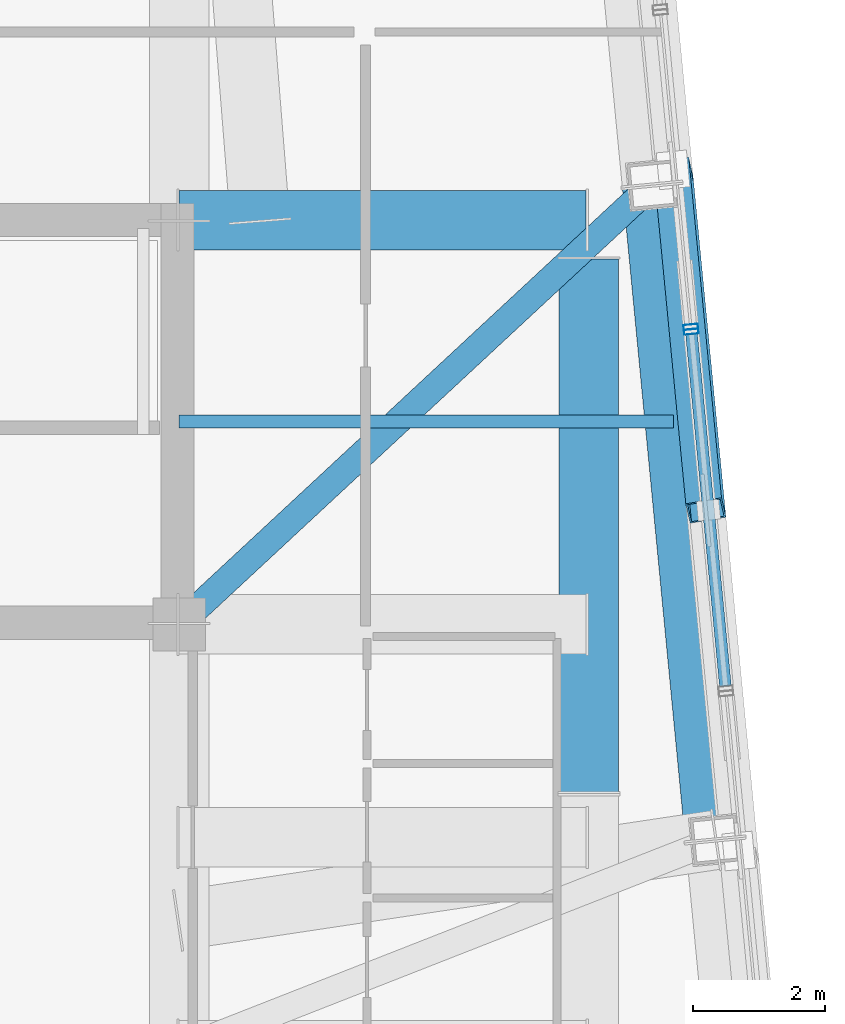
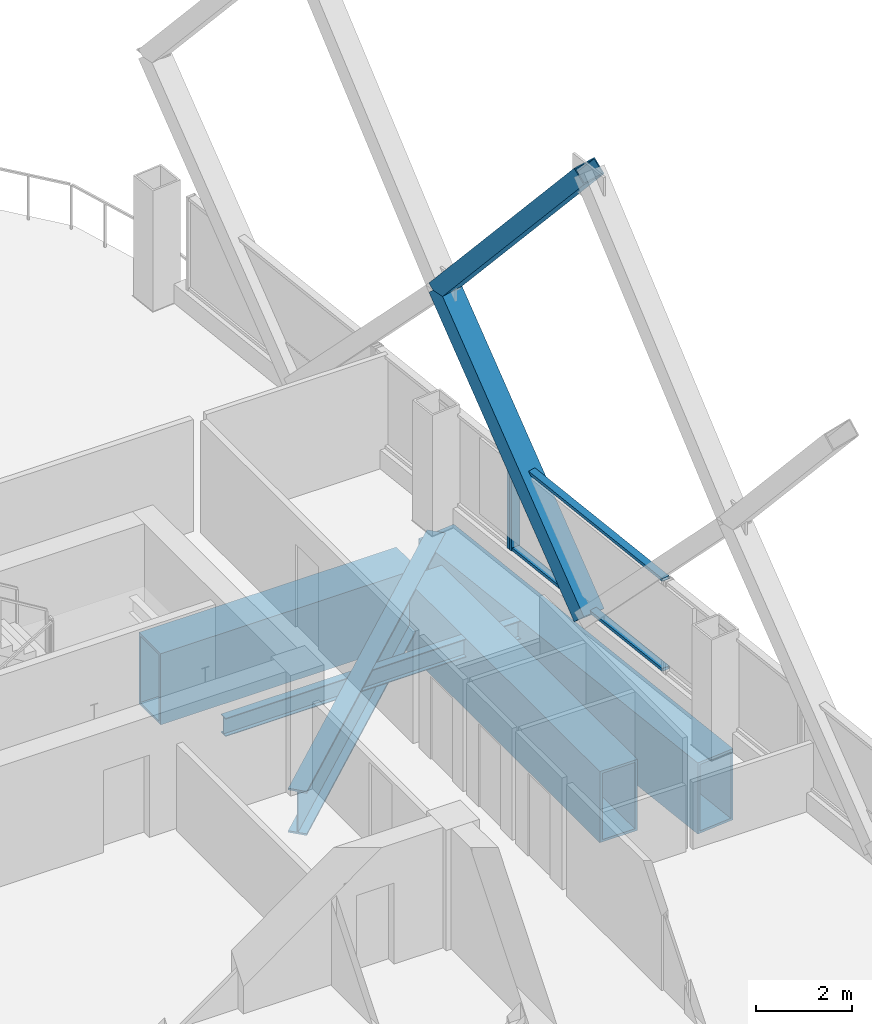
# One storey, part 18 of 37: 6 members, 5 beams, 2 elements without a shape of their own.
"""IFC4 building model written with IfcOpenShell, lengths in metres."""

from ifc_helpers import new_model, si_unit, direction, frame, origin, origin_2d, place, context, subcontext, project, spatial, hollow_rectangle, i_section, extrude, material, layer, layer_set, material_profile, profile_set, type_object, element, aggregate, save


model = new_model("IFC4")

# Units and contexts
model_context = context("Model", 3, precision=1e-05, world=origin(), true_north=direction((0.0, 1.0)))
body_context = subcontext(model_context, "Body", "Model", "MODEL_VIEW")
ifc_project = project(units=[si_unit("LENGTHUNIT", "METRE"), si_unit("AREAUNIT", "SQUARE_METRE"), si_unit("VOLUMEUNIT", "CUBIC_METRE"), si_unit("PLANEANGLEUNIT", "RADIAN"), si_unit("MASSUNIT", "GRAM", prefix="KILO")], contexts=[model_context])

# Site, building, storey
site_placement = place(None, origin())
site = spatial("IfcSite", under=ifc_project, at=site_placement, CompositionType="ELEMENT")
building_placement = place(site_placement, origin())
building = spatial("IfcBuilding", under=site, at=building_placement, Name="Qhalaya Broadcast Tower", CompositionType="ELEMENT")
storey_placement = place(building_placement, frame((0.0, 0.0, 156.14990234375)))
storey = spatial("IfcBuildingStorey", under=building, at=storey_placement, Name="L45", CompositionType="ELEMENT", Elevation=156.14990234375)

# Beams
ifc_material_1 = material(Name="Structural Steel ASTM A572 Grade 50", Category="steel")
ifc_material_profile_1 = material_profile(ifc_material_1, hollow_rectangle(XDim=0.89990234375, YDim=1.800048828125, WallThickness=0.06005859375, at=origin_2d()), Name="BOX 900x1800x60")
ifc_profile_set_1 = profile_set([ifc_material_profile_1], Name="Structural Steel ASTM A572 Grade 50")
beam_type_1 = type_object("IfcBeamType", Name="Block Cantilever Transfer Box Girder TG1", PredefinedType="USERDEFINED", material=ifc_profile_set_1)
beam_1_placement = place(storey_placement, frame((17.49267578125, 0.558837890625, -1.119873046875), z_axis=(-0.095852900965, 0.995395510024, 0.0), x_axis=(-0.995395510024, -0.095852900965, 0.0)))
element("IfcBeam", 1, at=beam_1_placement, inside=storey, type_object=beam_type_1, Name="L45 TG1 L45-SPR-06", ObjectType="GIRDER", PredefinedType="USERDEFINED", context=body_context, shape_type="SweptSolid", body=[
    extrude(hollow_rectangle(XDim=0.89990234375, YDim=1.800048828125, WallThickness=0.06005859375, at=origin_2d()), origin(), (0.0, 0.0, 1.0), 9.966552734375),
])
beam_2_placement = place(storey_placement, frame((15.580078125, 1.260009765625, -1.119873046875), z_axis=(0.0, 1.0, 0.0), x_axis=(-1.0, 0.0, 0.0)))
element("IfcBeam", 2, at=beam_2_placement, inside=storey, type_object=beam_type_1, Name="L45 TG1 L45-TGL-06", ObjectType="GIRDER", PredefinedType="USERDEFINED", context=body_context, shape_type="SweptSolid", body=[
    extrude(hollow_rectangle(XDim=0.89990234375, YDim=1.800048828125, WallThickness=0.06005859375, at=origin_2d()), origin(), (0.0, 0.0, 1.0), 8.10009765625),
])
beam_3_placement = place(storey_placement, frame((9.375, 9.949951171875, -1.119873046875), z_axis=(1.0, 0.0, 0.0), x_axis=(0.0, 1.0, 0.0)))
element("IfcBeam", 3, at=beam_3_placement, inside=storey, type_object=beam_type_1, Name="L45 TG1 L45-TGIY4E-1", ObjectType="GIRDER", PredefinedType="USERDEFINED", context=body_context, shape_type="SweptSolid", body=[
    extrude(hollow_rectangle(XDim=0.89990234375, YDim=1.800048828125, WallThickness=0.06005859375, at=origin_2d()), origin(), (0.0, 0.0, 1.0), 6.1650390625),
])
ifc_material_2 = material(Name="Structural Steel ASTM A992 Grade 50", Category="steel")
ifc_material_profile_2 = material_profile(ifc_material_2, i_section(OverallWidth=0.19189453125, OverallDepth=0.462890625, WebThickness=0.010498046875, FlangeThickness=0.017578125, at=origin_2d()), Name="W18X60")
ifc_profile_set_2 = profile_set([ifc_material_profile_2], Name="Structural Steel ASTM A992 Grade 50")
beam_type_2 = type_object("IfcBeamType", Name="Composite Floor Joist J03", PredefinedType="JOIST", material=ifc_profile_set_2)
beam_4_placement = place(storey_placement, frame((9.375, 6.89990234375, -0.451416015625), z_axis=(1.0, 0.0, 0.0), x_axis=(0.0, 1.0, 0.0)))
element("IfcBeam", 4, at=beam_4_placement, inside=storey, type_object=beam_type_2, Name="L45 J03 L45-JWE5E-1", PredefinedType="JOIST", context=body_context, shape_type="SweptSolid", body=[
    extrude(i_section(OverallWidth=0.19189453125, OverallDepth=0.462890625, WebThickness=0.010498046875, FlangeThickness=0.017578125, at=origin_2d()), origin(), (0.0, 0.0, 1.0), 7.48681640625),
])

# Members
ifc_material_profile_3 = material_profile(ifc_material_1, hollow_rectangle(XDim=0.39990234375, YDim=0.550048828125, WallThickness=0.02490234375, at=origin_2d()), Name="BOX 400x550x25")
ifc_profile_set_3 = profile_set([ifc_material_profile_3], Name="Structural Steel ASTM A572 Grade 50")
member_type_1 = type_object("IfcMemberType", Name="Exoskeleton Diamond Diagonal Mid-High EX3", PredefinedType="BRACE", material=ifc_profile_set_3)
member_1_placement = place(storey_placement, frame((17.353515625, 5.5517578125, 0.360107421875), z_axis=(-0.066504325889, 0.690631901239, 0.720142174594), x_axis=(0.164113379892, -0.704339295697, 0.690632286443)))
element("IfcMember", 5, at=member_1_placement, inside=storey, type_object=member_type_1, Name="B4 Exoskeleton Diamond Brace E2-D2", PredefinedType="BRACE", context=body_context, shape_type="SweptSolid", body=[
    extrude(hollow_rectangle(XDim=0.39990234375, YDim=0.550048828125, WallThickness=0.02490234375, at=origin_2d()), origin(), (0.0, 0.0, 1.0), 7.470703125),
])
member_2_placement = place(storey_placement, frame((16.856689453125, 10.711181640625, 5.739990234375), z_axis=(0.06350423358, -0.659476642868, 0.749037896123), x_axis=(-0.166870327526, 0.732969553362, 0.659477010695)))
element("IfcMember", 6, at=member_2_placement, inside=storey, type_object=member_type_1, Name="B4 Exoskeleton Diamond Brace E2-D4", PredefinedType="BRACE", context=body_context, shape_type="SweptSolid", body=[
    extrude(hollow_rectangle(XDim=0.39990234375, YDim=0.550048828125, WallThickness=0.02490234375, at=origin_2d()), origin(), (0.0, 0.0, 1.0), 7.823486328125),
])

# Beam
ifc_material_profile_4 = material_profile(ifc_material_2, i_section(OverallWidth=0.404052734375, OverallDepth=1.117919921875, WebThickness=0.026123046875, FlangeThickness=0.044921875, at=origin_2d()), Name="W44X335")
ifc_profile_set_4 = profile_set([ifc_material_profile_4], Name="Structural Steel ASTM A992 Grade 50")
beam_type_3 = type_object("IfcBeamType", Name="Podium Long-Span Primary Girder PG1", PredefinedType="USERDEFINED", material=ifc_profile_set_4)
beam_5_placement = place(storey_placement, frame((9.375, 3.824951171875, -0.77880859375), z_axis=(0.732600460195, 0.680658920255, 0.0), x_axis=(-0.680658920255, 0.732600460195, 0.0)))
element("IfcBeam", 7, at=beam_5_placement, inside=storey, type_object=beam_type_3, Name="L45 Column-to-Column Moment Tie Girder 07-1", ObjectType="GIRDER", PredefinedType="USERDEFINED", context=body_context, shape_type="SweptSolid", body=[
    extrude(i_section(OverallWidth=0.404052734375, OverallDepth=1.117919921875, WebThickness=0.026123046875, FlangeThickness=0.044921875, at=origin_2d()), origin(), (0.0, 0.0, 1.0), 9.776611328125),
])

# Curtain wall, member
ifc_material_3 = material(Name="Fired Architectural Terracotta", Category="masonry")
ifc_layer_1 = layer(ifc_material_3, 0.219970703125, Name="Fired Architectural Terracotta")
ifc_layer_set_1 = layer_set([ifc_layer_1], Name="Fired Architectural Terracotta")
curtain_wall_type_1 = type_object("IfcCurtainWallType", Name="Block-Cap Unitised Terracotta Spandrel Wall CW-07", PredefinedType="NOTDEFINED", material=ifc_layer_set_1)
curtain_wall_1_placement = place(storey_placement, origin())
curtain_wall_1 = element("IfcCurtainWall", 8, at=curtain_wall_1_placement, inside=storey, type_object=curtain_wall_type_1, Name="L45 Unitised Curtain Wall L45-CW-E3", PredefinedType="NOTDEFINED")
ifc_material_4 = material(Name="Anodised Aluminium 6063-T6", Category="aluminium")
ifc_material_profile_5 = material_profile(ifc_material_4, hollow_rectangle(XDim=0.074951171875, YDim=0.219970703125, WallThickness=0.00390625, at=origin_2d()), Name="ALU-MUL 75x220x4")
ifc_profile_set_5 = profile_set([ifc_material_profile_5], Name="Anodised Aluminium 6063-T6")
member_type_2 = type_object("IfcMemberType", Name="Unitised Curtain-Wall Mullion M01", PredefinedType="MULLION", material=ifc_profile_set_5)
member_3_placement = place(storey_placement, frame((17.1328125, 8.2587890625, 0.47998046875), z_axis=(0.0, 0.0, 1.0), x_axis=(-0.095858099514, 0.99539500941, 0.0)))
member_3 = element("IfcMember", 9, at=member_3_placement, type_object=member_type_2, Name="CW-07 mullion 2", PredefinedType="MULLION", context=body_context, shape_type="SweptSolid", body=[
    extrude(hollow_rectangle(XDim=0.074951171875, YDim=0.219970703125, WallThickness=0.00390625, at=origin_2d()), origin(), (0.0, 0.0, 1.0), 2.35009765625),
])

ifc_material_5 = material(Name="Solar-Control Low-E Triple Glazing", Category="glass")
ifc_layer_2 = layer(ifc_material_5, 0.219970703125, Name="Solar-Control Low-E Triple Glazing")
ifc_layer_set_2 = layer_set([ifc_layer_2], Name="Solar-Control Low-E Triple Glazing")
curtain_wall_type_2 = type_object("IfcCurtainWallType", Name="Even-Block 4-Storey Double-Module Curtain Wall CW-03", PredefinedType="NOTDEFINED", material=ifc_layer_set_2)
curtain_wall_2_placement = place(storey_placement, origin())
curtain_wall_2 = element("IfcCurtainWall", 10, at=curtain_wall_2_placement, inside=storey, type_object=curtain_wall_type_2, Name="L45 Unitised Curtain Wall L45-CW-E4", PredefinedType="NOTDEFINED")
member_4_placement = place(storey_placement, frame((17.125732421875, 8.333251953125, 0.47998046875), z_axis=(0.0, 0.0, 1.0), x_axis=(-0.095844898762, 0.995396280574, 0.0)))
member_4 = element("IfcMember", 11, at=member_4_placement, type_object=member_type_2, Name="CW-03 mullion 1", PredefinedType="MULLION", context=body_context, shape_type="SweptSolid", body=[
    extrude(hollow_rectangle(XDim=0.074951171875, YDim=0.219970703125, WallThickness=0.00390625, at=origin_2d()), origin(), (0.0, 0.0, 1.0), 2.35009765625),
])
aggregate(curtain_wall_2, [member_4])

# Member
ifc_material_profile_6 = material_profile(ifc_material_4, hollow_rectangle(XDim=0.074951171875, YDim=0.179931640625, WallThickness=0.00390625, at=origin_2d()), Name="ALU-TRN 75x180x4")
ifc_profile_set_6 = profile_set([ifc_material_profile_6], Name="Anodised Aluminium 6063-T6")
member_type_3 = type_object("IfcMemberType", Name="Unitised Curtain-Wall Transom T01", PredefinedType="USERDEFINED", material=ifc_profile_set_6)
member_5_placement = place(storey_placement, frame((17.64990234375, 2.889892578125, 0.517578125), z_axis=(-0.095856580839, 0.995395155659, 0.0), x_axis=(0.0, 0.0, 1.0)))
member_5 = element("IfcMember", 12, at=member_5_placement, type_object=member_type_3, Name="CW-07 transom 1.1", ObjectType="TRANSOM", PredefinedType="USERDEFINED", context=body_context, shape_type="SweptSolid", body=[
    extrude(hollow_rectangle(XDim=0.074951171875, YDim=0.179931640625, WallThickness=0.00390625, at=origin_2d()), origin(), (0.0, 0.0, 1.0), 5.356201171875),
])

member_6_placement = place(storey_placement, frame((17.64990234375, 2.889892578125, 2.79248046875), z_axis=(-0.095856580839, 0.995395155659, 0.0), x_axis=(0.0, 0.0, 1.0)))
member_6 = element("IfcMember", 13, at=member_6_placement, type_object=member_type_3, Name="CW-07 transom 1.2", ObjectType="TRANSOM", PredefinedType="USERDEFINED", context=body_context, shape_type="SweptSolid", body=[
    extrude(hollow_rectangle(XDim=0.074951171875, YDim=0.179931640625, WallThickness=0.00390625, at=origin_2d()), origin(), (0.0, 0.0, 1.0), 5.356201171875),
])

aggregate(curtain_wall_1, [member_3, member_5, member_6])

save(model, "model.ifc")
